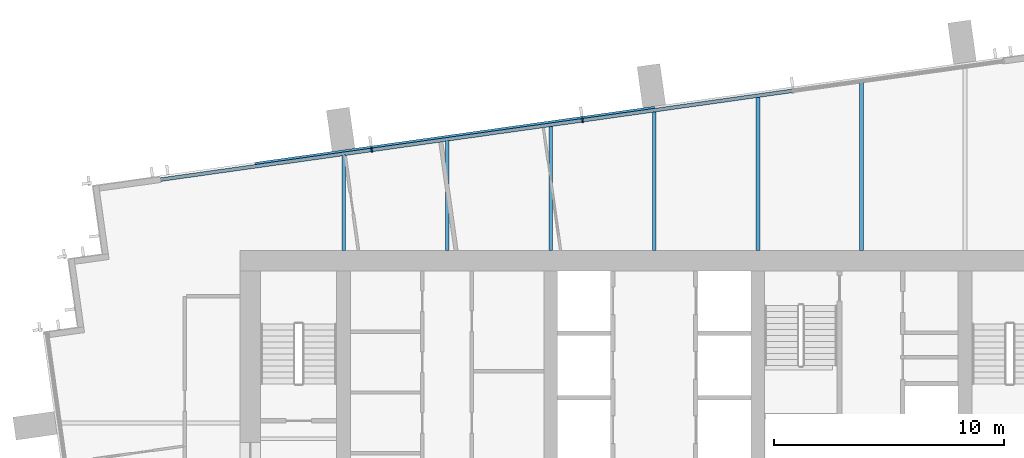
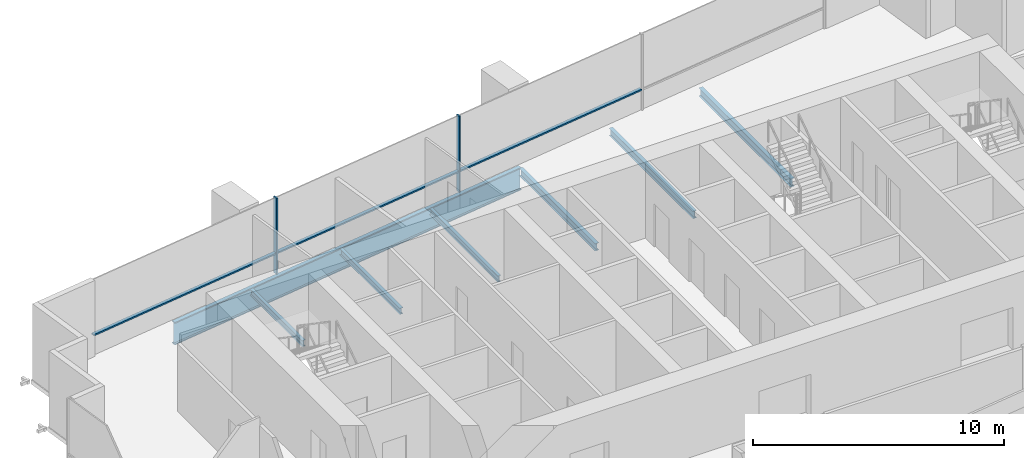
# One storey, part 5 of 12: 7 beams, 5 members, 1 element without a shape of its own.
"""IFC4 building model written with IfcOpenShell, lengths in metres."""

from ifc_helpers import new_model, si_unit, direction, frame, origin, origin_2d, place, context, subcontext, project, spatial, rectangle, i_section, extrude, material, layer, layer_set, material_profile, profile_set, type_object, element, aggregate, save


model = new_model("IFC4")

# Units and contexts
model_context = context("Model", 3, precision=1e-05, world=origin(), true_north=direction((0.0, 1.0)))
body_context = subcontext(model_context, "Body", "Model", "MODEL_VIEW")
ifc_project = project(units=[si_unit("LENGTHUNIT", "METRE"), si_unit("AREAUNIT", "SQUARE_METRE"), si_unit("VOLUMEUNIT", "CUBIC_METRE"), si_unit("PLANEANGLEUNIT", "RADIAN"), si_unit("MASSUNIT", "GRAM", prefix="KILO")], contexts=[model_context])

# Site, building, storey
site_placement = place(None, origin())
site = spatial("IfcSite", under=ifc_project, at=site_placement, CompositionType="ELEMENT")
building_placement = place(site_placement, origin())
building = spatial("IfcBuilding", under=site, at=building_placement, Name="Rattan Terrace Tower", CompositionType="ELEMENT")
storey_placement = place(building_placement, frame((0.0, 0.0, 259.0)))
storey = spatial("IfcBuildingStorey", under=building, at=storey_placement, Name="L59", CompositionType="ELEMENT", Elevation=259.0)

# Beams
ifc_material_1 = material(Name="Steel S460", Category="steel")
ifc_material_profile_1 = material_profile(ifc_material_1, i_section(OverallWidth=0.179931640625, OverallDepth=1.10009765625, WebThickness=0.01611328125, FlangeThickness=0.050048828125, at=origin_2d()), Name="PG 1100x180-16-50")
ifc_profile_set_1 = profile_set([ifc_material_profile_1], Name="Steel S460")
beam_type_1 = type_object("IfcBeamType", Name="Frame edge girder PG 1100x180-16-50", PredefinedType="SPANDREL", material=ifc_profile_set_1)
beam_1_placement = place(storey_placement, frame((-17.347900390625, 11.22900390625, -0.75), z_axis=(0.990275473288, 0.139120404699, 0.0), x_axis=(-0.139120404699, 0.990275473288, 0.0)))
element("IfcBeam", 1, at=beam_1_placement, inside=storey, type_object=beam_type_1, Name="gdr-L59-005", PredefinedType="SPANDREL", context=body_context, shape_type="SweptSolid", body=[
    extrude(i_section(OverallWidth=0.179931640625, OverallDepth=1.10009765625, WebThickness=0.01611328125, FlangeThickness=0.050048828125, at=origin_2d()), origin(), (0.0, 0.0, 1.0), 17.53125),
])
ifc_material_2 = material(Name="Steel S355", Category="steel")
ifc_material_profile_2 = material_profile(ifc_material_2, i_section(OverallWidth=0.14990234375, OverallDepth=0.300048828125, WebThickness=0.007080078125, FlangeThickness=0.0107421875, FilletRadius=0.014892578125, at=origin_2d()), Name="IPE 300")
ifc_profile_set_2 = profile_set([ifc_material_profile_2], Name="Steel S355")
beam_type_2 = type_object("IfcBeamType", Name="Frame floor beam IPE 300", PredefinedType="JOIST", material=ifc_profile_set_2)
beam_2_placement = place(storey_placement, frame((-13.5, 7.5, -0.35009765625), z_axis=(0.0, 1.0, 0.0), x_axis=(-1.0, 0.0, 0.0)))
element("IfcBeam", 2, at=beam_2_placement, inside=storey, type_object=beam_type_2, Name="bm-L59-015", PredefinedType="JOIST", context=body_context, shape_type="SweptSolid", body=[
    extrude(i_section(OverallWidth=0.14990234375, OverallDepth=0.300048828125, WebThickness=0.007080078125, FlangeThickness=0.0107421875, FilletRadius=0.014892578125, at=origin_2d()), origin(), (0.0, 0.0, 1.0), 4.16796875),
])
beam_3_placement = place(storey_placement, frame((-9.0, 7.5, -0.35009765625), z_axis=(0.0, 1.0, 0.0), x_axis=(-1.0, 0.0, 0.0)))
element("IfcBeam", 3, at=beam_3_placement, inside=storey, type_object=beam_type_2, Name="bm-L59-016", PredefinedType="JOIST", context=body_context, shape_type="SweptSolid", body=[
    extrude(i_section(OverallWidth=0.14990234375, OverallDepth=0.300048828125, WebThickness=0.007080078125, FlangeThickness=0.0107421875, FilletRadius=0.014892578125, at=origin_2d()), origin(), (0.0, 0.0, 1.0), 4.800048828125),
])
beam_4_placement = place(storey_placement, frame((-4.5, 7.5, -0.35009765625), z_axis=(0.0, 1.0, 0.0), x_axis=(-1.0, 0.0, 0.0)))
element("IfcBeam", 4, at=beam_4_placement, inside=storey, type_object=beam_type_2, Name="bm-L59-017", PredefinedType="JOIST", context=body_context, shape_type="SweptSolid", body=[
    extrude(i_section(OverallWidth=0.14990234375, OverallDepth=0.300048828125, WebThickness=0.007080078125, FlangeThickness=0.0107421875, FilletRadius=0.014892578125, at=origin_2d()), origin(), (0.0, 0.0, 1.0), 5.43310546875),
])
ifc_material_3 = material(Name="Steel S355", Category="steel")
ifc_material_profile_3 = material_profile(ifc_material_3, i_section(OverallWidth=0.169921875, OverallDepth=0.360107421875, WebThickness=0.008056640625, FlangeThickness=0.0126953125, FilletRadius=0.01806640625, at=origin_2d()), Name="IPE 360")
ifc_profile_set_3 = profile_set([ifc_material_profile_3], Name="Steel S355")
beam_type_3 = type_object("IfcBeamType", Name="Frame floor beam IPE 360", PredefinedType="JOIST", material=ifc_profile_set_3)
beam_5_placement = place(storey_placement, frame((0.0, 7.5, -0.3798828125), z_axis=(0.0, 1.0, 0.0), x_axis=(-1.0, 0.0, 0.0)))
element("IfcBeam", 5, at=beam_5_placement, inside=storey, type_object=beam_type_3, Name="bm-L59-018", PredefinedType="JOIST", context=body_context, shape_type="SweptSolid", body=[
    extrude(i_section(OverallWidth=0.169921875, OverallDepth=0.360107421875, WebThickness=0.008056640625, FlangeThickness=0.0126953125, FilletRadius=0.01806640625, at=origin_2d()), origin(), (0.0, 0.0, 1.0), 6.06298828125),
])
beam_6_placement = place(storey_placement, frame((4.5, 7.5, -0.3798828125), z_axis=(0.0, 1.0, 0.0), x_axis=(-1.0, 0.0, 0.0)))
element("IfcBeam", 6, at=beam_6_placement, inside=storey, type_object=beam_type_3, Name="bm-L59-019", PredefinedType="JOIST", context=body_context, shape_type="SweptSolid", body=[
    extrude(i_section(OverallWidth=0.169921875, OverallDepth=0.360107421875, WebThickness=0.008056640625, FlangeThickness=0.0126953125, FilletRadius=0.01806640625, at=origin_2d()), origin(), (0.0, 0.0, 1.0), 6.696044921875),
])
ifc_material_4 = material(Name="Steel S355", Category="steel")
ifc_material_profile_4 = material_profile(ifc_material_4, i_section(OverallWidth=0.179931640625, OverallDepth=0.39990234375, WebThickness=0.008544921875, FlangeThickness=0.013427734375, FilletRadius=0.02099609375, at=origin_2d()), Name="IPE 400")
ifc_profile_set_4 = profile_set([ifc_material_profile_4], Name="Steel S355")
beam_type_4 = type_object("IfcBeamType", Name="Frame floor beam IPE 400", PredefinedType="JOIST", material=ifc_profile_set_4)
beam_7_placement = place(storey_placement, frame((9.0, 7.5, -0.39990234375), z_axis=(0.0, 1.0, 0.0), x_axis=(-1.0, 0.0, 0.0)))
element("IfcBeam", 7, at=beam_7_placement, inside=storey, type_object=beam_type_4, Name="bm-L59-020", PredefinedType="JOIST", context=body_context, shape_type="SweptSolid", body=[
    extrude(i_section(OverallWidth=0.179931640625, OverallDepth=0.39990234375, WebThickness=0.008544921875, FlangeThickness=0.013427734375, FilletRadius=0.02099609375, at=origin_2d()), origin(), (0.0, 0.0, 1.0), 7.327880859375),
])

# Curtain wall, members
ifc_material_5 = material(Name="Aluminium and laminated glass", Category="aluminium")
ifc_layer = layer(ifc_material_5, 0.199951171875)
ifc_layer_set = layer_set([ifc_layer], Name="High-Zone Unitised Curtain Wall")
curtain_wall_type = type_object("IfcCurtainWallType", Name="High-Zone Unitised Curtain Wall", PredefinedType="NOTDEFINED", material=ifc_layer_set)
curtain_wall_placement = place(storey_placement, origin())
curtain_wall = element("IfcCurtainWall", 8, at=curtain_wall_placement, inside=storey, type_object=curtain_wall_type, Name="High-zone curtain wall L59-2", PredefinedType="NOTDEFINED")
ifc_material_6 = material(Name="Aluminium", Category="aluminium")
ifc_material_profile_5 = material_profile(ifc_material_6, rectangle(XDim=0.070068359375, YDim=0.199951171875, at=origin_2d()), Name="Aluminium 70x200")
ifc_profile_set_5 = profile_set([ifc_material_profile_5], Name="Aluminium")
member_type_1 = type_object("IfcMemberType", Name="High-Zone CW Mullion 70x200", PredefinedType="MULLION", material=ifc_profile_set_5)
member_1_placement = place(storey_placement, frame((-3.1181640625, 13.14697265625, 0.0), z_axis=(0.0, 0.0, 1.0), x_axis=(-0.990265894013, -0.139188574079, 0.0)))
member_1 = element("IfcMember", 9, at=member_1_placement, type_object=member_type_1, Name="Mullion cwl-L59-002.3", PredefinedType="MULLION", context=body_context, shape_type="SweptSolid", body=[
    extrude(rectangle(XDim=0.070068359375, YDim=0.199951171875, at=origin_2d()), origin(), (0.0, 0.0, 1.0), 3.699951171875),
])
member_2_placement = place(storey_placement, frame((-12.27734375, 11.859619140625, 0.0), z_axis=(0.0, 0.0, 1.0), x_axis=(-0.990265894013, -0.139188574079, 0.0)))
member_2 = element("IfcMember", 10, at=member_2_placement, type_object=member_type_1, Name="Mullion cwl-L59-002.4", PredefinedType="MULLION", context=body_context, shape_type="SweptSolid", body=[
    extrude(rectangle(XDim=0.070068359375, YDim=0.199951171875, at=origin_2d()), origin(), (0.0, 0.0, 1.0), 3.699951171875),
])
ifc_material_7 = material(Name="Aluminium", Category="aluminium")
ifc_material_profile_6 = material_profile(ifc_material_7, rectangle(XDim=0.159912109375, YDim=0.070068359375, at=origin_2d()), Name="Aluminium 160x70")
ifc_profile_set_6 = profile_set([ifc_material_profile_6], Name="Aluminium")
member_type_2 = type_object("IfcMemberType", Name="High-Zone CW Transom 160x70", PredefinedType="USERDEFINED", material=ifc_profile_set_6)
member_3_placement = place(storey_placement, frame((6.006103515625, 14.429443359375, 1.0), z_axis=(-0.990266147156, -0.139186773067, 0.0), x_axis=(0.139186773067, -0.990266147156, 0.0)))
member_3 = element("IfcMember", 11, at=member_3_placement, type_object=member_type_2, Name="Transom cwl-L59-002.2", ObjectType="TRANSOM", PredefinedType="USERDEFINED", context=body_context, shape_type="SweptSolid", body=[
    extrude(rectangle(XDim=0.159912109375, YDim=0.070068359375, at=origin_2d()), origin(), (0.0, 0.0, 1.0), 9.178955078125),
])
member_4_placement = place(storey_placement, frame((-3.15283203125, 13.14208984375, 1.0), z_axis=(-0.990266662415, -0.139183107123, 0.0), x_axis=(0.139183107123, -0.990266662415, 0.0)))
member_4 = element("IfcMember", 12, at=member_4_placement, type_object=member_type_2, Name="Transom cwl-L59-002.3", ObjectType="TRANSOM", PredefinedType="USERDEFINED", context=body_context, shape_type="SweptSolid", body=[
    extrude(rectangle(XDim=0.159912109375, YDim=0.070068359375, at=origin_2d()), origin(), (0.0, 0.0, 1.0), 9.17919921875),
])
member_5_placement = place(storey_placement, frame((-12.31201171875, 11.854736328125, 1.0), z_axis=(-0.990263767768, -0.139203700545, 0.0), x_axis=(0.139203700545, -0.990263767768, 0.0)))
member_5 = element("IfcMember", 13, at=member_5_placement, type_object=member_type_2, Name="Transom cwl-L59-002.4", ObjectType="TRANSOM", PredefinedType="USERDEFINED", context=body_context, shape_type="SweptSolid", body=[
    extrude(rectangle(XDim=0.159912109375, YDim=0.070068359375, at=origin_2d()), origin(), (0.0, 0.0, 1.0), 9.21826171875),
])
aggregate(curtain_wall, [member_1, member_2, member_3, member_4, member_5])

save(model, "model.ifc")
